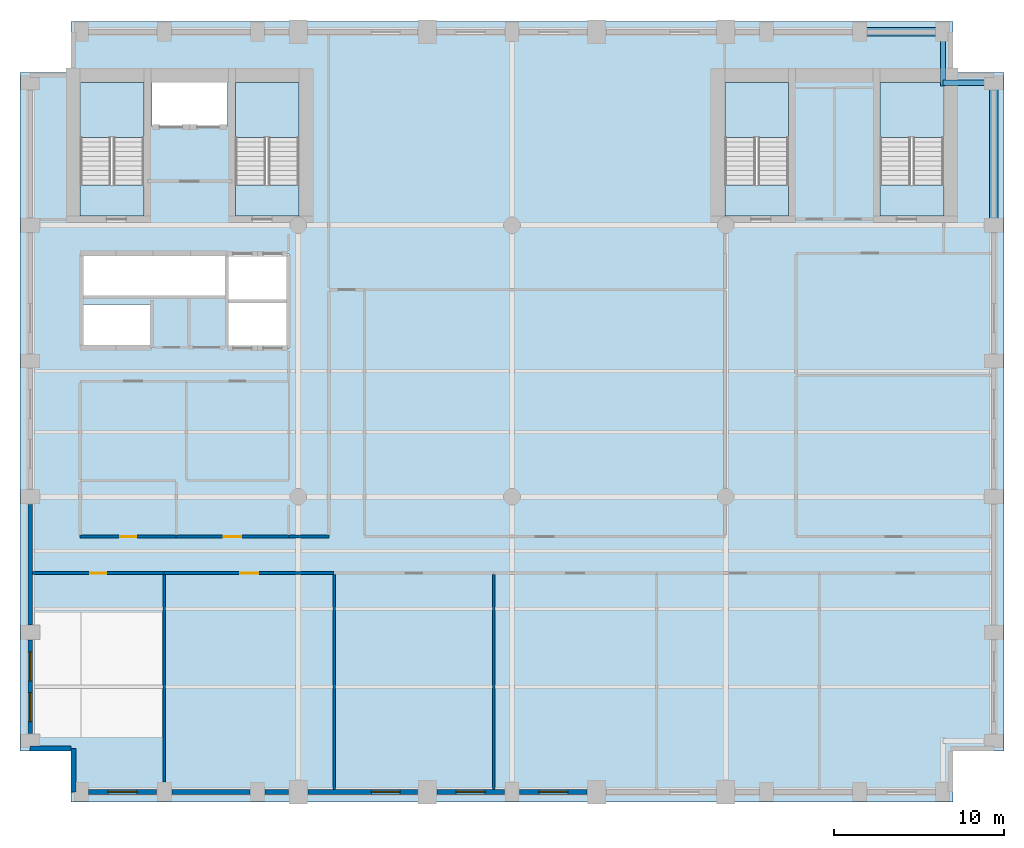
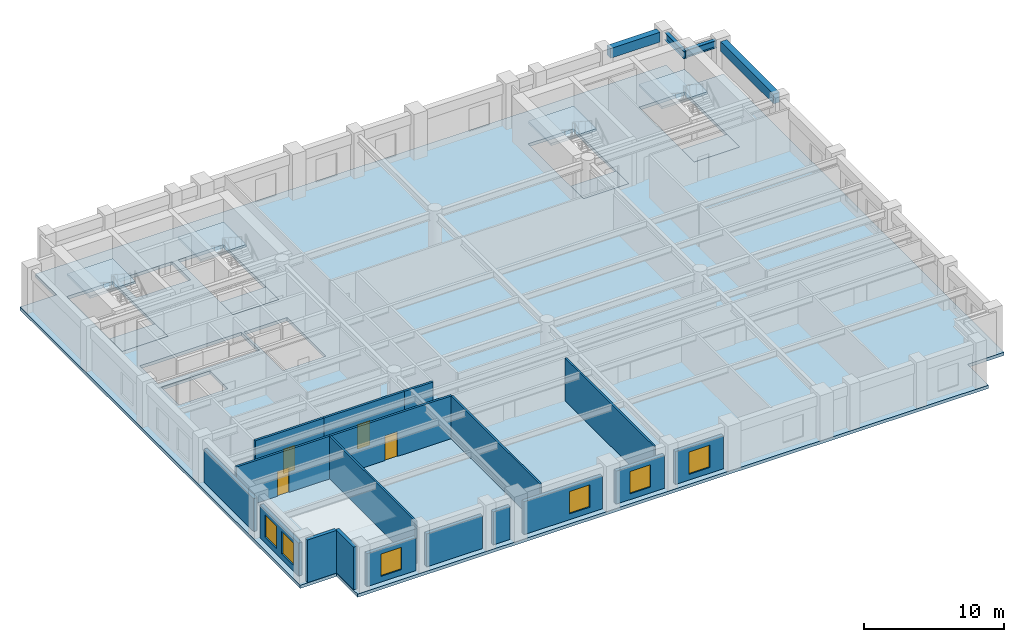
# One storey, part 2 of 9: 18 walls, 9 slabs, 6 windows, 4 beams, 4 doors, 10 openings, 4 elements without a shape of their own.
"""IFC4 building model written with IfcOpenShell, lengths in metres."""

from ifc_helpers import new_model, si_unit, direction, frame, frame_2d, origin, origin_2d, place, context, subcontext, project, spatial, polyline, rectangle, i_section, outline, extrude, material, layer, layer_set, material_profile, profile_set, type_object, element, fill, aggregate, save


model = new_model("IFC4")

# Units and contexts
model_context = context("Model", 3, precision=1e-05, world=origin(), true_north=direction((0.0, 1.0)))
body_context = subcontext(model_context, "Body", "Model", "MODEL_VIEW")
ifc_project = project(units=[si_unit("LENGTHUNIT", "METRE"), si_unit("AREAUNIT", "SQUARE_METRE"), si_unit("VOLUMEUNIT", "CUBIC_METRE"), si_unit("PLANEANGLEUNIT", "RADIAN"), si_unit("MASSUNIT", "GRAM", prefix="KILO")], contexts=[model_context])

# Site, building, storey
site_placement = place(None, origin())
site = spatial("IfcSite", under=ifc_project, at=site_placement, CompositionType="ELEMENT")
building_placement = place(site_placement, origin())
building = spatial("IfcBuilding", under=site, at=building_placement, Name="Sulina Concourse Tower", CompositionType="ELEMENT")
storey_placement = place(building_placement, frame((0.0, 0.0, 96.60009765625)))
storey = spatial("IfcBuildingStorey", under=building, at=storey_placement, Name="L23", CompositionType="ELEMENT", Elevation=96.60009765625)

# Beams
ifc_material_1 = material(Name="Steel S355", Category="steel")
ifc_material_profile_1 = material_profile(ifc_material_1, i_section(OverallWidth=0.300048828125, OverallDepth=0.64990234375, WebThickness=0.01611328125, FlangeThickness=0.031005859375, at=origin_2d()), Name="HE 650 B")
ifc_profile_set_1 = profile_set([ifc_material_profile_1], Name="Steel S355")
beam_type_1 = type_object("IfcBeamType", Name="Floor Primary Girder Zone 2 HE650B", PredefinedType="BEAM", material=ifc_profile_set_1)
beam_1_placement = place(storey_placement, frame((54.39990234375, 42.39990234375, 3.39990234375), z_axis=(1.0, 0.0, 0.0), x_axis=(0.0, 1.0, 0.0)))
element("IfcBeam", 1, at=beam_1_placement, inside=storey, type_object=beam_type_1, Name="TIE-NE-L23", PredefinedType="BEAM", context=body_context, shape_type="SweptSolid", body=[
    extrude(i_section(OverallWidth=0.300048828125, OverallDepth=0.64990234375, WebThickness=0.01611328125, FlangeThickness=0.031005859375, at=origin_2d()), origin(), (0.0, 0.0, 1.0), 2.59521484375),
])
beam_2_placement = place(storey_placement, frame((54.39990234375, 42.199951171875, 3.39990234375), z_axis=(0.0, 1.0, 0.0), x_axis=(-1.0, 0.0, 0.0)))
element("IfcBeam", 2, at=beam_2_placement, inside=storey, type_object=beam_type_1, Name="TIE-NEN-L23", PredefinedType="BEAM", context=body_context, shape_type="SweptSolid", body=[
    extrude(i_section(OverallWidth=0.300048828125, OverallDepth=0.64990234375, WebThickness=0.01611328125, FlangeThickness=0.031005859375, at=origin_2d()), origin(), (0.0, 0.0, 1.0), 2.795166015625),
])
ifc_material_2 = material(Name="Precast concrete C50/60", Category="concrete")
ifc_material_profile_2 = material_profile(ifc_material_2, rectangle(XDim=0.5, YDim=0.85009765625, at=origin_2d()), Name="RC 500x850")
ifc_profile_set_2 = profile_set([ifc_material_profile_2], Name="Precast concrete C50/60")
beam_type_2 = type_object("IfcBeamType", Name="Lower Precast Spandrel Edge Beam 500x850", PredefinedType="BEAM", material=ifc_profile_set_2)
beam_3_placement = place(storey_placement, frame((49.905029296875, 45.39990234375, 3.2998046875), z_axis=(1.0, 0.0, 0.0), x_axis=(0.0, 1.0, 0.0)))
element("IfcBeam", 3, at=beam_3_placement, inside=storey, type_object=beam_type_2, Name="SP-N10-L23", PredefinedType="BEAM", context=body_context, shape_type="SweptSolid", body=[
    extrude(rectangle(XDim=0.5, YDim=0.85009765625, at=origin_2d()), origin(), (0.0, 0.0, 1.0), 4.090087890625),
])
beam_4_placement = place(storey_placement, frame((57.39990234375, 34.405029296875, 3.2998046875), z_axis=(0.0, 1.0, 0.0), x_axis=(-1.0, 0.0, 0.0)))
element("IfcBeam", 4, at=beam_4_placement, inside=storey, type_object=beam_type_2, Name="SP-E5-L23", PredefinedType="BEAM", context=body_context, shape_type="SweptSolid", body=[
    extrude(rectangle(XDim=0.5, YDim=0.85009765625, at=origin_2d()), origin(), (0.0, 0.0, 1.0), 7.590087890625),
])

# Slabs
ifc_material_3 = material(Name="Concrete C50/60", Category="concrete")
ifc_layer_1 = layer(ifc_material_3, 0.27490234375)
ifc_layer_set_1 = layer_set([ifc_layer_1], Name="Concrete C50/60")
slab_type_1 = type_object("IfcSlabType", Name="Mid-Rise Composite Floor Slab 275mm", PredefinedType="FLOOR", material=ifc_layer_set_1)
slab_1_placement = place(storey_placement, frame((0.0, 0.0, -0.275146484375)))
element("IfcSlab", 5, at=slab_1_placement, inside=storey, type_object=slab_type_1, Name="L23 structural floor slab", PredefinedType="FLOOR", context=body_context, shape_type="SweptSolid", body=[
    extrude(outline(polyline([(3.0, 0.0), (55.0, 0.0), (55.0, 3.0), (58.0, 3.0), (58.0, 43.0), (55.0, 43.0), (55.0, 46.0), (3.0, 46.0), (3.0, 43.0), (0.0, 43.0), (0.0, 3.0), (3.0, 3.0), (3.0, 0.0)]), holes=[polyline([(7.31005859375, 34.550048828125), (7.31005859375, 42.429931640625), (3.550048828125, 42.429931640625), (3.550048828125, 34.550048828125), (7.31005859375, 34.550048828125)]), polyline([(16.449951171875, 34.550048828125), (16.449951171875, 42.429931640625), (12.68994140625, 42.429931640625), (12.68994140625, 34.550048828125), (16.449951171875, 34.550048828125)]), polyline([(45.31005859375, 34.550048828125), (45.31005859375, 42.429931640625), (41.550048828125, 42.429931640625), (41.550048828125, 34.550048828125), (45.31005859375, 34.550048828125)]), polyline([(54.449951171875, 34.550048828125), (54.449951171875, 42.429931640625), (50.68994140625, 42.429931640625), (50.68994140625, 34.550048828125), (54.449951171875, 34.550048828125)]), polyline([(7.780029296875, 39.830078125), (12.219970703125, 39.830078125), (12.219970703125, 42.449951171875), (7.780029296875, 42.449951171875), (7.780029296875, 39.830078125)]), polyline([(3.739990234375, 26.780029296875), (7.77001953125, 26.780029296875), (7.77001953125, 29.320068359375), (3.739990234375, 29.320068359375), (3.739990234375, 26.780029296875)]), polyline([(3.739990234375, 29.780029296875), (12.10009765625, 29.780029296875), (12.10009765625, 32.3701171875), (3.739990234375, 32.3701171875), (3.739990234375, 29.780029296875)]), polyline([(12.280029296875, 26.780029296875), (15.85009765625, 26.780029296875), (15.85009765625, 32.320068359375), (12.280029296875, 32.320068359375), (12.280029296875, 26.780029296875)])]), origin(), (0.0, 0.0, 1.0), 0.275146484375),
])
ifc_material_4 = material(Name="Concrete C50/60", Category="concrete")
ifc_layer_2 = layer(ifc_material_4, 0.199951171875)
ifc_layer_set_2 = layer_set([ifc_layer_2], Name="Concrete C50/60")
slab_type_2 = type_object("IfcSlabType", Name="Primary Core Stair Landing Slab 200mm", PredefinedType="LANDING", material=ifc_layer_set_2)
slab_2_placement = place(storey_placement, frame((0.0, 0.0, -0.2001953125)))
element("IfcSlab", 6, at=slab_2_placement, inside=storey, type_object=slab_type_2, Name="L23 ST-1 floor landing slab", PredefinedType="LANDING", context=body_context, shape_type="SweptSolid", body=[
    extrude(outline(polyline([(7.31005859375, 34.550048828125), (7.31005859375, 36.375), (3.550048828125, 36.375), (3.550048828125, 34.550048828125), (7.31005859375, 34.550048828125)])), origin(), (0.0, 0.0, 1.0), 0.2001953125),
])
slab_3_placement = place(storey_placement, frame((0.0, 0.0, -0.2001953125)))
element("IfcSlab", 7, at=slab_3_placement, inside=storey, type_object=slab_type_2, Name="L23 ST-2 floor landing slab", PredefinedType="LANDING", context=body_context, shape_type="SweptSolid", body=[
    extrude(outline(polyline([(16.449951171875, 34.550048828125), (16.449951171875, 36.375), (12.68994140625, 36.375), (12.68994140625, 34.550048828125), (16.449951171875, 34.550048828125)])), origin(), (0.0, 0.0, 1.0), 0.2001953125),
])
slab_4_placement = place(storey_placement, frame((0.0, 0.0, -0.2001953125)))
element("IfcSlab", 8, at=slab_4_placement, inside=storey, type_object=slab_type_2, Name="L23 ST-3 floor landing slab", PredefinedType="LANDING", context=body_context, shape_type="SweptSolid", body=[
    extrude(outline(polyline([(45.31005859375, 34.550048828125), (45.31005859375, 36.375), (41.550048828125, 36.375), (41.550048828125, 34.550048828125), (45.31005859375, 34.550048828125)])), origin(), (0.0, 0.0, 1.0), 0.2001953125),
])
slab_5_placement = place(storey_placement, frame((0.0, 0.0, -0.2001953125)))
element("IfcSlab", 9, at=slab_5_placement, inside=storey, type_object=slab_type_2, Name="L23 ST-4 floor landing slab", PredefinedType="LANDING", context=body_context, shape_type="SweptSolid", body=[
    extrude(outline(polyline([(54.449951171875, 34.550048828125), (54.449951171875, 36.375), (50.68994140625, 36.375), (50.68994140625, 34.550048828125), (54.449951171875, 34.550048828125)])), origin(), (0.0, 0.0, 1.0), 0.2001953125),
])

# Stair, slab
ifc_material_5 = material(Name="Concrete C50/60", Category="concrete")
stair_type_1 = type_object("IfcStairType", Name="Primary Core Dog-Leg Exit Stair 1800mm", PredefinedType="HALF_TURN_STAIR", material=ifc_material_5)
stair_1_placement = place(storey_placement, origin())
stair_1 = element("IfcStair", 10, at=stair_1_placement, inside=storey, type_object=stair_type_1, Name="L23 ST-1", PredefinedType="HALF_TURN_STAIR")
slab_6_placement = place(storey_placement, frame((0.0, 0.0, 1.7998046875)))
slab_6 = element("IfcSlab", 11, at=slab_6_placement, type_object=slab_type_2, Name="ST-1 landing 1", PredefinedType="LANDING", context=body_context, shape_type="SweptSolid", body=[
    extrude(outline(polyline([(7.304931640625, 39.175048828125), (7.304931640625, 42.425048828125), (3.554931640625, 42.425048828125), (3.554931640625, 39.175048828125), (7.304931640625, 39.175048828125)])), origin(), (0.0, 0.0, 1.0), 0.2001953125),
])
aggregate(stair_1, [slab_6])

stair_2_placement = place(storey_placement, origin())
stair_2 = element("IfcStair", 12, at=stair_2_placement, inside=storey, type_object=stair_type_1, Name="L23 ST-2", PredefinedType="HALF_TURN_STAIR")
slab_7_placement = place(storey_placement, frame((0.0, 0.0, 1.7998046875)))
slab_7 = element("IfcSlab", 13, at=slab_7_placement, type_object=slab_type_2, Name="ST-2 landing 1", PredefinedType="LANDING", context=body_context, shape_type="SweptSolid", body=[
    extrude(outline(polyline([(16.445068359375, 39.175048828125), (16.445068359375, 42.425048828125), (12.695068359375, 42.425048828125), (12.695068359375, 39.175048828125), (16.445068359375, 39.175048828125)])), origin(), (0.0, 0.0, 1.0), 0.2001953125),
])
aggregate(stair_2, [slab_7])

ifc_material_6 = material(Name="Concrete C50/60", Category="concrete")
stair_type_2 = type_object("IfcStairType", Name="Portal & Podium Core Exit Stair 1820mm", PredefinedType="HALF_TURN_STAIR", material=ifc_material_6)
stair_3_placement = place(storey_placement, origin())
stair_3 = element("IfcStair", 14, at=stair_3_placement, inside=storey, type_object=stair_type_2, Name="L23 ST-3", PredefinedType="HALF_TURN_STAIR")
slab_8_placement = place(storey_placement, frame((0.0, 0.0, 1.7998046875)))
slab_8 = element("IfcSlab", 15, at=slab_8_placement, type_object=slab_type_2, Name="ST-3 landing 1", PredefinedType="LANDING", context=body_context, shape_type="SweptSolid", body=[
    extrude(outline(polyline([(45.304931640625, 39.175048828125), (45.304931640625, 42.425048828125), (41.554931640625, 42.425048828125), (41.554931640625, 39.175048828125), (45.304931640625, 39.175048828125)])), origin(), (0.0, 0.0, 1.0), 0.2001953125),
])
aggregate(stair_3, [slab_8])

stair_4_placement = place(storey_placement, origin())
stair_4 = element("IfcStair", 16, at=stair_4_placement, inside=storey, type_object=stair_type_2, Name="L23 ST-4", PredefinedType="HALF_TURN_STAIR")
slab_9_placement = place(storey_placement, frame((0.0, 0.0, 1.7998046875)))
slab_9 = element("IfcSlab", 17, at=slab_9_placement, type_object=slab_type_2, Name="ST-4 landing 1", PredefinedType="LANDING", context=body_context, shape_type="SweptSolid", body=[
    extrude(outline(polyline([(54.445068359375, 39.175048828125), (54.445068359375, 42.425048828125), (50.695068359375, 42.425048828125), (50.695068359375, 39.175048828125), (54.445068359375, 39.175048828125)])), origin(), (0.0, 0.0, 1.0), 0.2001953125),
])
aggregate(stair_4, [slab_9])

# Walls
ifc_material_7 = material(Name="Gypsum board on steel stud", Category="steel")
ifc_layer_3 = layer(ifc_material_7, 0.14990234375)
ifc_layer_set_3 = layer_set([ifc_layer_3], Name="Gypsum board on steel stud")
wall_type_1 = type_object("IfcWallType", Name="Inter-Tenancy Acoustic Partition 150mm", PredefinedType="PARTITIONING", material=ifc_layer_set_3)
wall_1_placement = place(storey_placement, frame((8.5, 1.175048828125, 0.0), z_axis=(0.0, 0.0, 1.0), x_axis=(0.0, 1.0, 0.0)))
element("IfcWall", 18, at=wall_1_placement, inside=storey, type_object=wall_type_1, Name="L23 interior partition 028", PredefinedType="PARTITIONING", context=body_context, shape_type="SweptSolid", body=[
    extrude(rectangle(XDim=12.23486328125, YDim=0.14990234375, at=frame_2d((6.117431640625, 0.0))), origin(), (0.0, 0.0, 1.0), 3.724853515625),
])
for number, where, z_axis, x_axis, name in (
    (19, (18.52001953125, 0.739990234375, 0.0), (0.0, 0.0, 1.0), (0.0, 1.0, 0.0), "L23 interior partition 038"),
    (20, (27.919921875, 0.739990234375, 0.0), (0.0, 0.0, 1.0), (0.0, 1.0, 0.0), "L23 interior partition 040"),
):
    element("IfcWall", number, at=place(storey_placement, frame(where, z_axis=z_axis, x_axis=x_axis)), inside=storey, type_object=wall_type_1, Name=name, PredefinedType="PARTITIONING", context=body_context, shape_type="SweptSolid", body=[
        extrude(rectangle(XDim=12.669921875, YDim=0.14990234375, at=frame_2d((6.3349609375, 0.0))), origin(), (0.0, 0.0, 1.0), 3.724853515625),
    ])

# Wall, opening, door
ifc_material_8 = material(Name="Gypsum board on steel stud", Category="steel")
ifc_layer_4 = layer(ifc_material_8, 0.179931640625)
ifc_layer_set_4 = layer_set([ifc_layer_4], Name="Gypsum board on steel stud")
wall_type_2 = type_object("IfcWallType", Name="Protected Corridor & Riser Partition 180mm", PredefinedType="PARTITIONING", material=ifc_layer_set_4)
wall_2_placement = place(storey_placement, frame((0.739990234375, 13.5, 0.0), z_axis=(0.0, 0.0, 1.0), x_axis=(1.0, 0.0, 0.0)))
wall_2 = element("IfcWall", 21, at=wall_2_placement, inside=storey, type_object=wall_type_2, Name="L23 interior partition 001", PredefinedType="PARTITIONING", context=body_context, shape_type="SweptSolid", body=[
    extrude(rectangle(XDim=7.760009765625, YDim=0.179931640625, at=frame_2d((3.8798828125, 0.0))), origin(), (0.0, 0.0, 1.0), 3.724853515625),
])
opening_1_placement = place(wall_2_placement, frame((3.405029296875, 0.0, 0.0)))
opening_1 = element("IfcOpeningElement", 22, at=opening_1_placement, cuts=wall_2, Name="Opening DR-19", PredefinedType="OPENING", context=body_context, shape_type="SweptSolid", body=[
    extrude(rectangle(XDim=0.949951171875, YDim=2.14990234375, at=frame_2d((0.47509765625, 1.074951171875))), frame((0.0, 0.099853515625, 0.0), z_axis=(0.0, -1.0, 0.0), x_axis=(1.0, 0.0, 0.0)), (0.0, 0.0, 1.0), 0.199951171875),
])
ifc_material_9 = material(Name="Oak-veneered acoustic timber leaf", Category="wood")
ifc_layer_5 = layer(ifc_material_9, 0.050048828125)
ifc_layer_set_5 = layer_set([ifc_layer_5], Name="Oak-veneered acoustic timber leaf")
door_type_1 = type_object("IfcDoorType", Name="Cellular Office & Meeting Door 950x2150", OperationType="NOTDEFINED", PredefinedType="DOOR", material=ifc_layer_set_5)
door_1_placement = place(opening_1_placement, origin())
door_1 = element("IfcDoor", 23, at=door_1_placement, inside=storey, type_object=door_type_1, Name="L23 interior door L23-S01", OperationType="SINGLE_SWING_LEFT", OverallHeight=2.14990234375, OverallWidth=0.949951171875, PredefinedType="DOOR", context=body_context, shape_type="SweptSolid", body=[
    extrude(rectangle(XDim=0.949951171875, YDim=2.14990234375, at=frame_2d((0.47509765625, 1.074951171875))), frame((0.0, 0.02490234375, 0.0), z_axis=(0.0, -1.0, 0.0), x_axis=(1.0, 0.0, 0.0)), (0.0, 0.0, 1.0), 0.050048828125),
])
fill(opening_1, door_1)

wall_3_placement = place(storey_placement, frame((8.5, 13.5, 0.0), z_axis=(0.0, 0.0, 1.0), x_axis=(1.0, 0.0, 0.0)))
wall_3 = element("IfcWall", 24, at=wall_3_placement, inside=storey, type_object=wall_type_2, Name="L23 interior partition 002", PredefinedType="PARTITIONING", context=body_context, shape_type="SweptSolid", body=[
    extrude(rectangle(XDim=10.02001953125, YDim=0.179931640625, at=frame_2d((5.010009765625, 0.0))), origin(), (0.0, 0.0, 1.0), 3.724853515625),
])
opening_2_placement = place(wall_3_placement, frame((4.485107421875, 0.0, 0.0)))
opening_2 = element("IfcOpeningElement", 25, at=opening_2_placement, cuts=wall_3, Name="Opening DR-37", PredefinedType="OPENING", context=body_context, shape_type="SweptSolid", body=[
    extrude(rectangle(XDim=1.050048828125, YDim=2.14990234375, at=frame_2d((0.52490234375, 1.074951171875))), frame((0.0, 0.099853515625, 0.0), z_axis=(0.0, -1.0, 0.0), x_axis=(1.0, 0.0, 0.0)), (0.0, 0.0, 1.0), 0.199951171875),
])
ifc_material_10 = material(Name="Oak-veneered fire door leaf")
ifc_layer_6 = layer(ifc_material_10, 0.050048828125)
ifc_layer_set_6 = layer_set([ifc_layer_6], Name="Oak-veneered fire door leaf")
door_type_2 = type_object("IfcDoorType", Name="Tenant Suite Entrance Fire Door 1050x2150", OperationType="NOTDEFINED", PredefinedType="DOOR", material=ifc_layer_set_6)
door_2_placement = place(opening_2_placement, origin())
door_2 = element("IfcDoor", 26, at=door_2_placement, inside=storey, type_object=door_type_2, Name="L23 interior door L23-S02", OperationType="SINGLE_SWING_RIGHT", OverallHeight=2.14990234375, OverallWidth=1.050048828125, PredefinedType="DOOR", context=body_context, shape_type="SweptSolid", body=[
    extrude(rectangle(XDim=1.050048828125, YDim=2.14990234375, at=frame_2d((0.52490234375, 1.074951171875))), frame((0.0, 0.02490234375, 0.0), z_axis=(0.0, -1.0, 0.0), x_axis=(1.0, 0.0, 0.0)), (0.0, 0.0, 1.0), 0.050048828125),
])
fill(opening_2, door_2)

wall_4_placement = place(storey_placement, frame((3.550048828125, 15.64990234375, 0.0), z_axis=(0.0, 0.0, 1.0), x_axis=(1.0, 0.0, 0.0)))
wall_4 = element("IfcWall", 27, at=wall_4_placement, inside=storey, type_object=wall_type_2, Name="L23 interior partition 007", PredefinedType="PARTITIONING", context=body_context, shape_type="SweptSolid", body=[
    extrude(rectangle(XDim=5.64990234375, YDim=0.179931640625, at=frame_2d((2.824951171875, 0.0))), origin(), (0.0, 0.0, 1.0), 3.724853515625),
])
opening_3_placement = place(wall_4_placement, frame((2.35009765625, 0.0, 0.0)))
opening_3 = element("IfcOpeningElement", 28, at=opening_3_placement, cuts=wall_4, Name="Opening DR-19", PredefinedType="OPENING", context=body_context, shape_type="SweptSolid", body=[
    extrude(rectangle(XDim=0.949951171875, YDim=2.14990234375, at=frame_2d((0.47509765625, 1.074951171875))), frame((0.0, 0.099853515625, 0.0), z_axis=(0.0, -1.0, 0.0), x_axis=(1.0, 0.0, 0.0)), (0.0, 0.0, 1.0), 0.199951171875),
])
door_3_placement = place(opening_3_placement, origin())
door_3 = element("IfcDoor", 29, at=door_3_placement, inside=storey, type_object=door_type_1, Name="L23 interior door L23-WSB-1", OperationType="SINGLE_SWING_LEFT", OverallHeight=2.14990234375, OverallWidth=0.949951171875, PredefinedType="DOOR", context=body_context, shape_type="SweptSolid", body=[
    extrude(rectangle(XDim=0.949951171875, YDim=2.14990234375, at=frame_2d((0.47509765625, 1.074951171875))), frame((0.0, 0.02490234375, 0.0), z_axis=(0.0, -1.0, 0.0), x_axis=(1.0, 0.0, 0.0)), (0.0, 0.0, 1.0), 0.050048828125),
])
fill(opening_3, door_3)

wall_5_placement = place(storey_placement, frame((9.199951171875, 15.64990234375, 0.0), z_axis=(0.0, 0.0, 1.0), x_axis=(1.0, 0.0, 0.0)))
wall_5 = element("IfcWall", 30, at=wall_5_placement, inside=storey, type_object=wall_type_2, Name="L23 interior partition 008", PredefinedType="PARTITIONING", context=body_context, shape_type="SweptSolid", body=[
    extrude(rectangle(XDim=6.650146484375, YDim=0.179931640625, at=frame_2d((3.3251953125, 0.0))), origin(), (0.0, 0.0, 1.0), 3.724853515625),
])
opening_4_placement = place(wall_5_placement, frame((2.800048828125, 0.0, 0.0)))
opening_4 = element("IfcOpeningElement", 31, at=opening_4_placement, cuts=wall_5, Name="Opening DR-37", PredefinedType="OPENING", context=body_context, shape_type="SweptSolid", body=[
    extrude(rectangle(XDim=1.050048828125, YDim=2.14990234375, at=frame_2d((0.52490234375, 1.074951171875))), frame((0.0, 0.099853515625, 0.0), z_axis=(0.0, -1.0, 0.0), x_axis=(1.0, 0.0, 0.0)), (0.0, 0.0, 1.0), 0.199951171875),
])
door_4_placement = place(opening_4_placement, origin())
door_4 = element("IfcDoor", 32, at=door_4_placement, inside=storey, type_object=door_type_2, Name="L23 interior door L23-WSB-2", OperationType="SINGLE_SWING_RIGHT", OverallHeight=2.14990234375, OverallWidth=1.050048828125, PredefinedType="DOOR", context=body_context, shape_type="SweptSolid", body=[
    extrude(rectangle(XDim=1.050048828125, YDim=2.14990234375, at=frame_2d((0.52490234375, 1.074951171875))), frame((0.0, 0.02490234375, 0.0), z_axis=(0.0, -1.0, 0.0), x_axis=(1.0, 0.0, 0.0)), (0.0, 0.0, 1.0), 0.050048828125),
])
fill(opening_4, door_4)

# Wall
wall_6_placement = place(storey_placement, frame((15.85009765625, 15.64990234375, 0.0), z_axis=(0.0, 0.0, 1.0), x_axis=(1.0, 0.0, 0.0)))
element("IfcWall", 33, at=wall_6_placement, inside=storey, type_object=wall_type_2, Name="L23 interior partition 009", PredefinedType="PARTITIONING", context=body_context, shape_type="SweptSolid", body=[
    extrude(rectangle(XDim=2.349853515625, YDim=0.179931640625, at=frame_2d((1.1748046875, 0.0))), origin(), (0.0, 0.0, 1.0), 3.724853515625),
])

# Wall, opening, window
ifc_material_11 = material(Name="Precast concrete C50/60", Category="concrete")
ifc_layer_7 = layer(ifc_material_11, 0.280029296875)
ifc_layer_set_7 = layer_set([ifc_layer_7], Name="Precast concrete C50/60")
wall_type_3 = type_object("IfcWallType", Name="Typical Precast Masonry-Frame Facade Wall 280mm", PredefinedType="SOLIDWALL", material=ifc_layer_set_7)
wall_7_placement = place(storey_placement, frame((8.054931640625, 0.60009765625, 0.0), z_axis=(0.0, 0.0, 1.0), x_axis=(-1.0, 0.0, 0.0)))
wall_7 = element("IfcWall", 34, at=wall_7_placement, inside=storey, type_object=wall_type_3, Name="L23 exterior precast wall S1", PredefinedType="SOLIDWALL", context=body_context, shape_type="SweptSolid", body=[
    extrude(rectangle(XDim=4.010009765625, YDim=0.280029296875, at=frame_2d((2.0048828125, 0.0))), origin(), (0.0, 0.0, 1.0), 2.875),
])
opening_5_placement = place(wall_7_placement, frame((1.155029296875, 0.0, 0.5)))
opening_5 = element("IfcOpeningElement", 35, at=opening_5_placement, cuts=wall_7, Name="Opening WN-66", PredefinedType="OPENING", context=body_context, shape_type="SweptSolid", body=[
    extrude(rectangle(XDim=1.699951171875, YDim=1.949951171875, at=frame_2d((0.85009765625, 0.97509765625))), frame((0.0, 0.14990234375, 0.0), z_axis=(0.0, -1.0, 0.0), x_axis=(1.0, 0.0, 0.0)), (0.0, 0.0, 1.0), 0.300048828125),
])
ifc_material_12 = material(Name="Low-E solar double glazing in bronze aluminium", Category="aluminium")
window_type = type_object("IfcWindowType", Name="Recessed Spandrel Window 1700x1950", PartitioningType="SINGLE_PANEL", PredefinedType="WINDOW", material=ifc_material_12)
window_1_placement = place(opening_5_placement, origin())
window_1 = element("IfcWindow", 36, at=window_1_placement, inside=storey, type_object=window_type, Name="L23 punched window S1-1", OverallHeight=1.949951171875, OverallWidth=1.699951171875, PartitioningType="SINGLE_PANEL", PredefinedType="WINDOW", context=body_context, shape_type="SweptSolid", body=[
    extrude(rectangle(XDim=1.699951171875, YDim=1.949951171875, at=frame_2d((0.85009765625, 0.97509765625))), frame((0.0, 0.030029296875, 0.0), z_axis=(0.0, -1.0, 0.0), x_axis=(1.0, 0.0, 0.0)), (0.0, 0.0, 1.0), 0.06005859375),
])
fill(opening_5, window_1)

# Walls
wall_8_placement = place(storey_placement, frame((13.554931640625, 0.60009765625, 0.0), z_axis=(0.0, 0.0, 1.0), x_axis=(-1.0, 0.0, 0.0)))
element("IfcWall", 37, at=wall_8_placement, inside=storey, type_object=wall_type_3, Name="L23 exterior precast wall S2", PredefinedType="SOLIDWALL", context=body_context, shape_type="SweptSolid", body=[
    extrude(rectangle(XDim=4.60986328125, YDim=0.280029296875, at=frame_2d((2.304931640625, 0.0))), origin(), (0.0, 0.0, 1.0), 2.875),
])
wall_9_placement = place(storey_placement, frame((15.830078125, 0.60009765625, 0.0), z_axis=(0.0, 0.0, 1.0), x_axis=(-1.0, 0.0, 0.0)))
element("IfcWall", 38, at=wall_9_placement, inside=storey, type_object=wall_type_3, Name="L23 exterior precast wall S3", PredefinedType="SOLIDWALL", context=body_context, shape_type="SweptSolid", body=[
    extrude(rectangle(XDim=1.385009765625, YDim=0.280029296875, at=frame_2d((0.6923828125, 0.0))), origin(), (0.0, 0.0, 1.0), 2.875),
])

# Wall, opening, window
wall_10_placement = place(storey_placement, frame((23.429931640625, 0.60009765625, 0.0), z_axis=(0.0, 0.0, 1.0), x_axis=(-1.0, 0.0, 0.0)))
wall_10 = element("IfcWall", 39, at=wall_10_placement, inside=storey, type_object=wall_type_3, Name="L23 exterior precast wall S4", PredefinedType="SOLIDWALL", context=body_context, shape_type="SweptSolid", body=[
    extrude(rectangle(XDim=6.4599609375, YDim=0.280029296875, at=frame_2d((3.22998046875, 0.0))), origin(), (0.0, 0.0, 1.0), 2.875),
])
opening_6_placement = place(wall_10_placement, frame((1.02001953125, 0.0, 0.5)))
opening_6 = element("IfcOpeningElement", 40, at=opening_6_placement, cuts=wall_10, Name="Opening WN-66", PredefinedType="OPENING", context=body_context, shape_type="SweptSolid", body=[
    extrude(rectangle(XDim=1.699951171875, YDim=1.949951171875, at=frame_2d((0.85009765625, 0.97509765625))), frame((0.0, 0.14990234375, 0.0), z_axis=(0.0, -1.0, 0.0), x_axis=(1.0, 0.0, 0.0)), (0.0, 0.0, 1.0), 0.300048828125),
])
window_2_placement = place(opening_6_placement, origin())
window_2 = element("IfcWindow", 41, at=window_2_placement, inside=storey, type_object=window_type, Name="L23 punched window S4-1", OverallHeight=1.949951171875, OverallWidth=1.699951171875, PartitioningType="SINGLE_PANEL", PredefinedType="WINDOW", context=body_context, shape_type="SweptSolid", body=[
    extrude(rectangle(XDim=1.699951171875, YDim=1.949951171875, at=frame_2d((0.85009765625, 0.97509765625))), frame((0.0, 0.030029296875, 0.0), z_axis=(0.0, -1.0, 0.0), x_axis=(1.0, 0.0, 0.0)), (0.0, 0.0, 1.0), 0.06005859375),
])
fill(opening_6, window_2)

wall_11_placement = place(storey_placement, frame((28.554931640625, 0.60009765625, 0.0), z_axis=(0.0, 0.0, 1.0), x_axis=(-1.0, 0.0, 0.0)))
wall_11 = element("IfcWall", 42, at=wall_11_placement, inside=storey, type_object=wall_type_3, Name="L23 exterior precast wall S5", PredefinedType="SOLIDWALL", context=body_context, shape_type="SweptSolid", body=[
    extrude(rectangle(XDim=3.98486328125, YDim=0.280029296875, at=frame_2d((1.992431640625, 0.0))), origin(), (0.0, 0.0, 1.0), 2.875),
])
opening_7_placement = place(wall_11_placement, frame((1.142578125, 0.0, 0.5)))
opening_7 = element("IfcOpeningElement", 43, at=opening_7_placement, cuts=wall_11, Name="Opening WN-66", PredefinedType="OPENING", context=body_context, shape_type="SweptSolid", body=[
    extrude(rectangle(XDim=1.699951171875, YDim=1.949951171875, at=frame_2d((0.85009765625, 0.97509765625))), frame((0.0, 0.14990234375, 0.0), z_axis=(0.0, -1.0, 0.0), x_axis=(1.0, 0.0, 0.0)), (0.0, 0.0, 1.0), 0.300048828125),
])
window_3_placement = place(opening_7_placement, origin())
window_3 = element("IfcWindow", 44, at=window_3_placement, inside=storey, type_object=window_type, Name="L23 punched window S5-1", OverallHeight=1.949951171875, OverallWidth=1.699951171875, PartitioningType="SINGLE_PANEL", PredefinedType="WINDOW", context=body_context, shape_type="SweptSolid", body=[
    extrude(rectangle(XDim=1.699951171875, YDim=1.949951171875, at=frame_2d((0.85009765625, 0.97509765625))), frame((0.0, 0.030029296875, 0.0), z_axis=(0.0, -1.0, 0.0), x_axis=(1.0, 0.0, 0.0)), (0.0, 0.0, 1.0), 0.06005859375),
])
fill(opening_7, window_3)

wall_12_placement = place(storey_placement, frame((33.429931640625, 0.60009765625, 0.0), z_axis=(0.0, 0.0, 1.0), x_axis=(-1.0, 0.0, 0.0)))
wall_12 = element("IfcWall", 45, at=wall_12_placement, inside=storey, type_object=wall_type_3, Name="L23 exterior precast wall S6", PredefinedType="SOLIDWALL", context=body_context, shape_type="SweptSolid", body=[
    extrude(rectangle(XDim=3.98486328125, YDim=0.280029296875, at=frame_2d((1.992431640625, 0.0))), origin(), (0.0, 0.0, 1.0), 2.875),
])
opening_8_placement = place(wall_12_placement, frame((1.142578125, 0.0, 0.5)))
opening_8 = element("IfcOpeningElement", 46, at=opening_8_placement, cuts=wall_12, Name="Opening WN-66", PredefinedType="OPENING", context=body_context, shape_type="SweptSolid", body=[
    extrude(rectangle(XDim=1.699951171875, YDim=1.949951171875, at=frame_2d((0.85009765625, 0.97509765625))), frame((0.0, 0.14990234375, 0.0), z_axis=(0.0, -1.0, 0.0), x_axis=(1.0, 0.0, 0.0)), (0.0, 0.0, 1.0), 0.300048828125),
])
window_4_placement = place(opening_8_placement, origin())
window_4 = element("IfcWindow", 47, at=window_4_placement, inside=storey, type_object=window_type, Name="L23 punched window S6-1", OverallHeight=1.949951171875, OverallWidth=1.699951171875, PartitioningType="SINGLE_PANEL", PredefinedType="WINDOW", context=body_context, shape_type="SweptSolid", body=[
    extrude(rectangle(XDim=1.699951171875, YDim=1.949951171875, at=frame_2d((0.85009765625, 0.97509765625))), frame((0.0, 0.030029296875, 0.0), z_axis=(0.0, -1.0, 0.0), x_axis=(1.0, 0.0, 0.0)), (0.0, 0.0, 1.0), 0.06005859375),
])
fill(opening_8, window_4)

# Wall, openings, windows
wall_13_placement = place(storey_placement, frame((0.60009765625, 4.044921875, 0.0), z_axis=(0.0, 0.0, 1.0), x_axis=(0.0, 1.0, 0.0)))
wall_13 = element("IfcWall", 48, at=wall_13_placement, inside=storey, type_object=wall_type_3, Name="L23 exterior precast wall W1", PredefinedType="SOLIDWALL", context=body_context, shape_type="SweptSolid", body=[
    extrude(rectangle(XDim=5.510009765625, YDim=0.280029296875, at=frame_2d((2.7548828125, 0.0))), origin(), (0.0, 0.0, 1.0), 2.875),
])
opening_9_placement = place(wall_13_placement, frame((0.703369140625, 0.0, 0.5)))
opening_9 = element("IfcOpeningElement", 49, at=opening_9_placement, cuts=wall_13, Name="Opening WN-66", PredefinedType="OPENING", context=body_context, shape_type="SweptSolid", body=[
    extrude(rectangle(XDim=1.699951171875, YDim=1.949951171875, at=frame_2d((0.85009765625, 0.97509765625))), frame((0.0, 0.14990234375, 0.0), z_axis=(0.0, -1.0, 0.0), x_axis=(1.0, 0.0, 0.0)), (0.0, 0.0, 1.0), 0.300048828125),
])
opening_10_placement = place(wall_13_placement, frame((3.106689453125, 0.0, 0.5)))
opening_10 = element("IfcOpeningElement", 50, at=opening_10_placement, cuts=wall_13, Name="Opening WN-66", PredefinedType="OPENING", context=body_context, shape_type="SweptSolid", body=[
    extrude(rectangle(XDim=1.699951171875, YDim=1.949951171875, at=frame_2d((0.85009765625, 0.97509765625))), frame((0.0, 0.14990234375, 0.0), z_axis=(0.0, -1.0, 0.0), x_axis=(1.0, 0.0, 0.0)), (0.0, 0.0, 1.0), 0.300048828125),
])
window_5_placement = place(opening_9_placement, origin())
window_5 = element("IfcWindow", 51, at=window_5_placement, inside=storey, type_object=window_type, Name="L23 punched window W1-1", OverallHeight=1.949951171875, OverallWidth=1.699951171875, PartitioningType="SINGLE_PANEL", PredefinedType="WINDOW", context=body_context, shape_type="SweptSolid", body=[
    extrude(rectangle(XDim=1.699951171875, YDim=1.949951171875, at=frame_2d((0.85009765625, 0.97509765625))), frame((0.0, 0.030029296875, 0.0), z_axis=(0.0, -1.0, 0.0), x_axis=(1.0, 0.0, 0.0)), (0.0, 0.0, 1.0), 0.06005859375),
])
fill(opening_9, window_5)
window_6_placement = place(opening_10_placement, origin())
window_6 = element("IfcWindow", 52, at=window_6_placement, inside=storey, type_object=window_type, Name="L23 punched window W1-2", OverallHeight=1.949951171875, OverallWidth=1.699951171875, PartitioningType="SINGLE_PANEL", PredefinedType="WINDOW", context=body_context, shape_type="SweptSolid", body=[
    extrude(rectangle(XDim=1.699951171875, YDim=1.949951171875, at=frame_2d((0.85009765625, 0.97509765625))), frame((0.0, 0.030029296875, 0.0), z_axis=(0.0, -1.0, 0.0), x_axis=(1.0, 0.0, 0.0)), (0.0, 0.0, 1.0), 0.06005859375),
])
fill(opening_10, window_6)

# Walls
wall_14_placement = place(storey_placement, frame((0.60009765625, 10.445068359375, 0.0), z_axis=(0.0, 0.0, 1.0), x_axis=(0.0, 1.0, 0.0)))
element("IfcWall", 53, at=wall_14_placement, inside=storey, type_object=wall_type_3, Name="L23 exterior precast wall W2", PredefinedType="SOLIDWALL", context=body_context, shape_type="SweptSolid", body=[
    extrude(rectangle(XDim=7.10986328125, YDim=0.280029296875, at=frame_2d((3.554931640625, 0.0))), origin(), (0.0, 0.0, 1.0), 2.875),
])
wall_15_placement = place(storey_placement, frame((3.155029296875, 0.60009765625, 0.0), z_axis=(0.0, 0.0, 1.0), x_axis=(0.0, 1.0, 0.0)))
element("IfcWall", 54, at=wall_15_placement, inside=storey, type_object=wall_type_3, Name="L23 exterior precast wall CSW1", PredefinedType="SOLIDWALL", context=body_context, shape_type="SweptSolid", body=[
    extrude(rectangle(XDim=2.554931640625, YDim=0.280029296875, at=frame_2d((1.27734375, 0.0))), origin(), (0.0, 0.0, 1.0), 3.724853515625),
])
wall_16_placement = place(storey_placement, frame((3.010009765625, 3.155029296875, 0.0), z_axis=(0.0, 0.0, 1.0), x_axis=(-1.0, 0.0, 0.0)))
element("IfcWall", 55, at=wall_16_placement, inside=storey, type_object=wall_type_3, Name="L23 exterior precast wall CSW2", PredefinedType="SOLIDWALL", context=body_context, shape_type="SweptSolid", body=[
    extrude(rectangle(XDim=2.409912109375, YDim=0.280029296875, at=frame_2d((1.205078125, 0.0))), origin(), (0.0, 0.0, 1.0), 3.724853515625),
])

save(model, "model.ifc")
